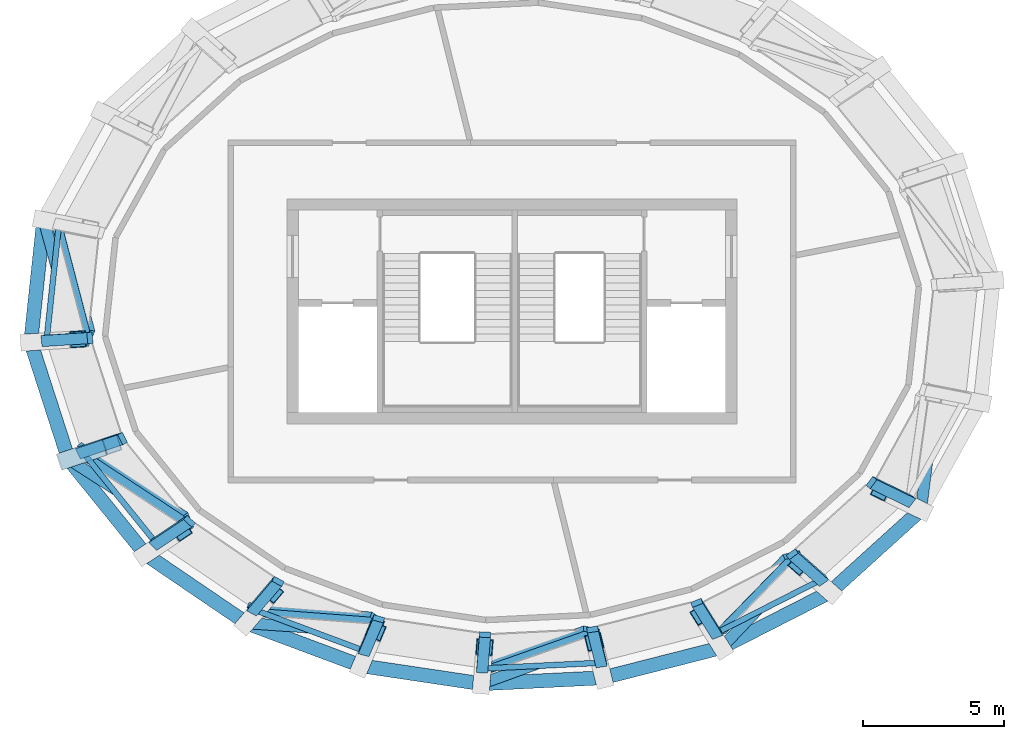
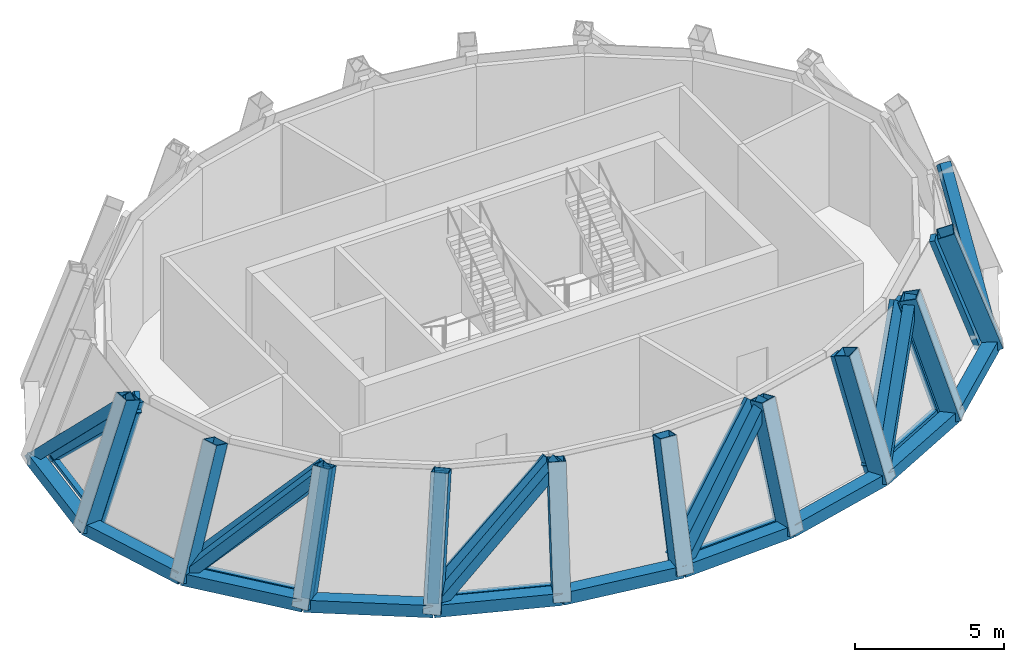
# One storey, part 1 of 6: 36 members, 10 beams, 1 element without a shape of its own.
"""IFC4 building model written with IfcOpenShell, lengths in metres."""

from ifc_helpers import new_model, si_unit, direction, frame, origin, origin_2d, place, context, subcontext, project, spatial, rectangle, hollow_rectangle, extrude, source, transform, mapped, material, material_profile, profile_set, type_object, element, aggregate, save


model = new_model("IFC4")

# Units and contexts
model_context = context("Model", 3, precision=1e-05, world=origin(), true_north=direction((0.0, 1.0)))
body_context = subcontext(model_context, "Body", "Model", "MODEL_VIEW")
ifc_project = project(units=[si_unit("LENGTHUNIT", "METRE"), si_unit("AREAUNIT", "SQUARE_METRE"), si_unit("VOLUMEUNIT", "CUBIC_METRE"), si_unit("PLANEANGLEUNIT", "RADIAN"), si_unit("MASSUNIT", "GRAM", prefix="KILO")], contexts=[model_context])

# Site, building, storey
site_placement = place(None, origin())
site = spatial("IfcSite", under=ifc_project, at=site_placement, CompositionType="ELEMENT")
building_placement = place(site_placement, origin())
building = spatial("IfcBuilding", under=site, at=building_placement, Name="Embergate Tower", CompositionType="ELEMENT")
storey_placement = place(building_placement, frame((0.0, 0.0, 361.0)))
storey = spatial("IfcBuildingStorey", under=building, at=storey_placement, Name="L82", CompositionType="ELEMENT", Elevation=361.0)

# Beams
ifc_material_1 = material(Name="Steel Q355D", Category="steel")
ifc_material_profile_1 = material_profile(ifc_material_1, hollow_rectangle(XDim=0.5, YDim=0.5, WallThickness=0.02490234375, at=origin_2d()), Name="BOX 500x500x25")
ifc_profile_set_1 = profile_set([ifc_material_profile_1], Name="Steel Q355 grade D")
beam_type = type_object("IfcBeamType", Name="Glass point ring beam BOX 500x500x25", PredefinedType="BEAM", material=ifc_profile_set_1)
shared_shape_1 = source(origin(), body_context, "Body", "SweptSolid", [
    extrude(hollow_rectangle(XDim=0.5, YDim=0.5, WallThickness=0.02490234375, at=origin_2d()), origin(), (0.0, 0.0, 1.0), 4.3662109375),
])
beam_1_placement = place(storey_placement, frame((-17.118896484375, -1.097900390625, 0.0), z_axis=(0.307306631921, -0.951610547429, 0.0), x_axis=(0.951610547429, 0.307306631921, 0.0)))
element("IfcBeam", 1, at=beam_1_placement, inside=storey, type_object=beam_type, Name="CRN-L82-RB11", PredefinedType="BEAM", context=body_context, shape_type="MappedRepresentation", body=[
    mapped(shared_shape_1, transform((0.0, 0.0, 0.0))),
])
shared_shape_2 = source(origin(), body_context, "Body", "SweptSolid", [
    extrude(hollow_rectangle(XDim=0.5, YDim=0.5, WallThickness=0.02490234375, at=origin_2d()), origin(), (0.0, 0.0, 1.0), 4.357666015625),
])
beam_2_placement = place(storey_placement, frame((-15.777099609375, -5.2529296875, 0.0), z_axis=(0.628316241824, -0.777958032454, 0.0), x_axis=(0.777958032454, 0.628316241824, 0.0)))
element("IfcBeam", 2, at=beam_2_placement, inside=storey, type_object=beam_type, Name="CRN-L82-RB12", PredefinedType="BEAM", context=body_context, shape_type="MappedRepresentation", body=[
    mapped(shared_shape_2, transform((0.0, 0.0, 0.0))),
])
shared_shape_3 = source(origin(), body_context, "Body", "SweptSolid", [
    extrude(hollow_rectangle(XDim=0.5, YDim=0.5, WallThickness=0.02490234375, at=origin_2d()), origin(), (0.0, 0.0, 1.0), 4.348388671875),
])
beam_3_placement = place(storey_placement, frame((-13.0390625, -8.64306640625, 0.0), z_axis=(0.826971403783, -0.562243983806, 0.0), x_axis=(0.562243983806, 0.826971403783, 0.0)))
element("IfcBeam", 3, at=beam_3_placement, inside=storey, type_object=beam_type, Name="CRN-L82-RB13", PredefinedType="BEAM", context=body_context, shape_type="MappedRepresentation", body=[
    mapped(shared_shape_3, transform((0.0, 0.0, 0.0))),
])
shared_shape_4 = source(origin(), body_context, "Body", "SweptSolid", [
    extrude(hollow_rectangle(XDim=0.5, YDim=0.5, WallThickness=0.02490234375, at=origin_2d()), origin(), (0.0, 0.0, 1.0), 4.34130859375),
])
beam_4_placement = place(storey_placement, frame((-9.443115234375, -11.087890625, 0.0), z_axis=(0.936866573227, -0.349687037177, 0.0), x_axis=(0.349687037177, 0.936866573227, 0.0)))
element("IfcBeam", 4, at=beam_4_placement, inside=storey, type_object=beam_type, Name="CRN-L82-RB14", PredefinedType="BEAM", context=body_context, shape_type="MappedRepresentation", body=[
    mapped(shared_shape_4, transform((0.0, 0.0, 0.0))),
])
shared_shape_5 = source(origin(), body_context, "Body", "SweptSolid", [
    extrude(hollow_rectangle(XDim=0.5, YDim=0.5, WallThickness=0.02490234375, at=origin_2d()), origin(), (0.0, 0.0, 1.0), 4.33837890625),
])
beam_5_placement = place(storey_placement, frame((-5.3759765625, -12.60595703125, 0.0), z_axis=(0.989054910399, -0.147547904817, 0.0), x_axis=(0.147547904817, 0.989054910399, 0.0)))
element("IfcBeam", 5, at=beam_5_placement, inside=storey, type_object=beam_type, Name="CRN-L82-RB15", PredefinedType="BEAM", context=body_context, shape_type="MappedRepresentation", body=[
    mapped(shared_shape_5, transform((0.0, 0.0, 0.0))),
])
shared_shape_6 = source(origin(), body_context, "Body", "SweptSolid", [
    extrude(hollow_rectangle(XDim=0.5, YDim=0.5, WallThickness=0.02490234375, at=origin_2d()), origin(), (0.0, 0.0, 1.0), 4.336181640625),
])
beam_6_placement = place(storey_placement, frame((-1.0849609375, -13.24609375, 0.0), z_axis=(0.998791342267, 0.049151343957, 0.0), x_axis=(-0.049151343957, 0.998791342267, 0.0)))
element("IfcBeam", 6, at=beam_6_placement, inside=storey, type_object=beam_type, Name="CRN-L82-RB16", PredefinedType="BEAM", context=body_context, shape_type="MappedRepresentation", body=[
    mapped(shared_shape_6, transform((0.0, 0.0, 0.0))),
])
shared_shape_7 = source(origin(), body_context, "Body", "SweptSolid", [
    extrude(hollow_rectangle(XDim=0.5, YDim=0.5, WallThickness=0.02490234375, at=origin_2d()), origin(), (0.0, 0.0, 1.0), 4.339599609375),
])
beam_7_placement = place(storey_placement, frame((3.24609375, -13.032958984375, 0.0), z_axis=(0.968949550045, 0.247258507371, 0.0), x_axis=(-0.247258507371, 0.968949550045, 0.0)))
element("IfcBeam", 7, at=beam_7_placement, inside=storey, type_object=beam_type, Name="CRN-L82-RB17", PredefinedType="BEAM", context=body_context, shape_type="MappedRepresentation", body=[
    mapped(shared_shape_7, transform((0.0, 0.0, 0.0))),
])
shared_shape_8 = source(origin(), body_context, "Body", "SweptSolid", [
    extrude(hollow_rectangle(XDim=0.5, YDim=0.5, WallThickness=0.02490234375, at=origin_2d()), origin(), (0.0, 0.0, 1.0), 4.343994140625),
])
beam_8_placement = place(storey_placement, frame((7.450927734375, -11.9599609375, 0.0), z_axis=(0.890687101381, 0.454616857841, 0.0), x_axis=(-0.454616857841, 0.890687101381, 0.0)))
element("IfcBeam", 8, at=beam_8_placement, inside=storey, type_object=beam_type, Name="CRN-L82-RB18", PredefinedType="BEAM", context=body_context, shape_type="MappedRepresentation", body=[
    mapped(shared_shape_8, transform((0.0, 0.0, 0.0))),
])
shared_shape_9 = source(origin(), body_context, "Body", "SweptSolid", [
    extrude(hollow_rectangle(XDim=0.5, YDim=0.5, WallThickness=0.02490234375, at=origin_2d()), origin(), (0.0, 0.0, 1.0), 4.3525390625),
])
beam_9_placement = place(storey_placement, frame((11.320068359375, -9.985107421875, 0.0), z_axis=(0.741134334902, 0.671356758832, 0.0), x_axis=(-0.671356758832, 0.741134334902, 0.0)))
element("IfcBeam", 9, at=beam_9_placement, inside=storey, type_object=beam_type, Name="CRN-L82-RB19", PredefinedType="BEAM", context=body_context, shape_type="MappedRepresentation", body=[
    mapped(shared_shape_9, transform((0.0, 0.0, 0.0))),
])
shared_shape_10 = source(origin(), body_context, "Body", "SweptSolid", [
    extrude(hollow_rectangle(XDim=0.5, YDim=0.5, WallThickness=0.02490234375, at=origin_2d()), origin(), (0.0, 0.0, 1.0), 4.367431640625),
])
beam_10_placement = place(storey_placement, frame((-16.656982421875, 3.2451171875, 0.0), z_axis=(-0.105761357807, -0.994391540187, 0.0), x_axis=(0.994391540187, -0.105761357807, 0.0)))
element("IfcBeam", 10, at=beam_10_placement, inside=storey, type_object=beam_type, Name="CRN-L82-RB10", PredefinedType="BEAM", context=body_context, shape_type="MappedRepresentation", body=[
    mapped(shared_shape_10, transform((0.0, 0.0, 0.0))),
])

# Members
ifc_material_profile_2 = material_profile(ifc_material_1, hollow_rectangle(XDim=0.60009765625, YDim=0.60009765625, WallThickness=0.028076171875, at=origin_2d()), Name="BOX 600x600x28")
ifc_profile_set_2 = profile_set([ifc_material_profile_2], Name="Steel Q355 grade D")
member_type_1 = type_object("IfcMemberType", Name="Glass point hip BOX 600x600x28", PredefinedType="MEMBER", material=ifc_profile_set_2)
shared_shape_11 = source(origin(), body_context, "Body", "SweptSolid", [
    extrude(hollow_rectangle(XDim=0.60009765625, YDim=0.60009765625, WallThickness=0.028076171875, at=origin_2d()), origin(), (0.0, 0.0, 1.0), 5.03955078125),
])
member_1_placement = place(storey_placement, frame((-13.077880859375, -8.6689453125, -0.14208984375), z_axis=(0.261899083885, 0.173630469228, 0.949347844584), x_axis=(-0.552563638116, 0.833470710842, 0.0)))
element("IfcMember", 11, at=member_1_placement, inside=storey, type_object=member_type_1, Name="CRN-L82-HP13", PredefinedType="MEMBER", context=body_context, shape_type="MappedRepresentation", body=[
    mapped(shared_shape_11, transform((0.0, 0.0, 0.0))),
])
shared_shape_12 = source(origin(), body_context, "Body", "SweptSolid", [
    extrude(hollow_rectangle(XDim=0.60009765625, YDim=0.60009765625, WallThickness=0.028076171875, at=origin_2d()), origin(), (0.0, 0.0, 1.0), 4.9736328125),
])
member_2_placement = place(storey_placement, frame((-1.087890625, -13.285888671875, -0.14404296875), z_axis=(0.021892343232, 0.269776498657, 0.962674070535), x_axis=(-0.996723518292, 0.080884040968, 0.0)))
element("IfcMember", 12, at=member_2_placement, inside=storey, type_object=member_type_1, Name="CRN-L82-HP16", PredefinedType="MEMBER", context=body_context, shape_type="MappedRepresentation", body=[
    mapped(shared_shape_12, transform((0.0, 0.0, 0.0))),
])
shared_shape_13 = source(origin(), body_context, "Body", "SweptSolid", [
    extrude(hollow_rectangle(XDim=0.60009765625, YDim=0.60009765625, WallThickness=0.028076171875, at=origin_2d()), origin(), (0.0, 0.0, 1.0), 4.977783203125),
])
member_3_placement = place(storey_placement, frame((3.256103515625, -13.072998046875, -0.14404296875), z_axis=(-0.066112868646, 0.265383332527, 0.961873575589), x_axis=(-0.970342594054, -0.241733841579, 0.0)))
element("IfcMember", 13, at=member_3_placement, inside=storey, type_object=member_type_1, Name="CRN-L82-HP17", PredefinedType="MEMBER", context=body_context, shape_type="MappedRepresentation", body=[
    mapped(shared_shape_13, transform((0.0, 0.0, 0.0))),
])
shared_shape_14 = source(origin(), body_context, "Body", "SweptSolid", [
    extrude(hollow_rectangle(XDim=0.60009765625, YDim=0.60009765625, WallThickness=0.028076171875, at=origin_2d()), origin(), (0.0, 0.0, 1.0), 4.996337890625),
])
member_4_placement = place(storey_placement, frame((7.47412109375, -11.99609375, -0.14404296875), z_axis=(-0.151328425448, 0.242408885582, 0.958299347721), x_axis=(-0.848276764559, -0.529553142479, 0.0)))
element("IfcMember", 14, at=member_4_placement, inside=storey, type_object=member_type_1, Name="CRN-L82-HP18", PredefinedType="MEMBER", context=body_context, shape_type="MappedRepresentation", body=[
    mapped(shared_shape_14, transform((0.0, 0.0, 0.0))),
])
shared_shape_15 = source(origin(), body_context, "Body", "SweptSolid", [
    extrude(hollow_rectangle(XDim=0.60009765625, YDim=0.60009765625, WallThickness=0.028076171875, at=origin_2d()), origin(), (0.0, 0.0, 1.0), 5.024169921875),
])
member_5_placement = place(storey_placement, frame((11.35400390625, -10.014892578125, -0.14306640625), z_axis=(-0.228095770655, 0.201223814717, 0.952618126953), x_axis=(-0.661552945099, -0.749898460347, 0.0)))
element("IfcMember", 15, at=member_5_placement, inside=storey, type_object=member_type_1, Name="CRN-L82-HP19", PredefinedType="MEMBER", context=body_context, shape_type="MappedRepresentation", body=[
    mapped(shared_shape_15, transform((0.0, 0.0, 0.0))),
])
shared_shape_16 = source(origin(), body_context, "Body", "SweptSolid", [
    extrude(hollow_rectangle(XDim=0.60009765625, YDim=0.60009765625, WallThickness=0.028076171875, at=origin_2d()), origin(), (0.0, 0.0, 1.0), 5.08740234375),
])
member_6_placement = place(storey_placement, frame((-17.169921875, -1.10107421875, -0.14111328125), z_axis=(0.340437413529, 0.021643258176, 0.94001805134), x_axis=(-0.063446762932, 0.997985224477, 0.0)))
element("IfcMember", 16, at=member_6_placement, inside=storey, type_object=member_type_1, Name="CRN-L82-HP11", PredefinedType="MEMBER", context=body_context, shape_type="MappedRepresentation", body=[
    mapped(shared_shape_16, transform((0.0, 0.0, 0.0))),
])
shared_shape_17 = source(origin(), body_context, "Body", "SweptSolid", [
    extrude(hollow_rectangle(XDim=0.60009765625, YDim=0.60009765625, WallThickness=0.028076171875, at=origin_2d()), origin(), (0.0, 0.0, 1.0), 5.06982421875),
])
member_7_placement = place(storey_placement, frame((-15.823974609375, -5.26904296875, -0.14111328125), z_axis=(0.314987601674, 0.104931659387, 0.943277349272), x_axis=(-0.316053706336, 0.948741300203, 0.0)))
element("IfcMember", 17, at=member_7_placement, inside=storey, type_object=member_type_1, Name="CRN-L82-HP12", PredefinedType="MEMBER", context=body_context, shape_type="MappedRepresentation", body=[
    mapped(shared_shape_17, transform((0.0, 0.0, 0.0))),
])
shared_shape_18 = source(origin(), body_context, "Body", "SweptSolid", [
    extrude(hollow_rectangle(XDim=0.60009765625, YDim=0.60009765625, WallThickness=0.028076171875, at=origin_2d()), origin(), (0.0, 0.0, 1.0), 5.008544921875),
])
member_8_placement = place(storey_placement, frame((-9.471923828125, -11.1220703125, -0.14306640625), z_axis=(0.191076336561, 0.224417207532, 0.955576658657), x_axis=(-0.761400435552, 0.648281865196, 0.0)))
element("IfcMember", 18, at=member_8_placement, inside=storey, type_object=member_type_1, Name="CRN-L82-HP14", PredefinedType="MEMBER", context=body_context, shape_type="MappedRepresentation", body=[
    mapped(shared_shape_18, transform((0.0, 0.0, 0.0))),
])
shared_shape_19 = source(origin(), body_context, "Body", "SweptSolid", [
    extrude(hollow_rectangle(XDim=0.60009765625, YDim=0.60009765625, WallThickness=0.028076171875, at=origin_2d()), origin(), (0.0, 0.0, 1.0), 4.9853515625),
])
member_9_placement = place(storey_placement, frame((-5.39208984375, -12.64404296875, -0.14404296875), z_axis=(0.109159528142, 0.256174738319, 0.960447135902), x_axis=(-0.919961737428, 0.392008165308, 0.0)))
element("IfcMember", 19, at=member_9_placement, inside=storey, type_object=member_type_1, Name="CRN-L82-HP15", PredefinedType="MEMBER", context=body_context, shape_type="MappedRepresentation", body=[
    mapped(shared_shape_19, transform((0.0, 0.0, 0.0))),
])
shared_shape_20 = source(origin(), body_context, "Body", "SweptSolid", [
    extrude(hollow_rectangle(XDim=0.60009765625, YDim=0.60009765625, WallThickness=0.028076171875, at=origin_2d()), origin(), (0.0, 0.0, 1.0), 5.056640625),
])
member_10_placement = place(storey_placement, frame((14.590087890625, -7.083984375, -0.14208984375), z_axis=(-0.291327180883, 0.141414867883, 0.946113264266), x_axis=(-0.436686813212, -0.899613598812, 0.0)))
element("IfcMember", 20, at=member_10_placement, inside=storey, type_object=member_type_1, Name="CRN-L82-HP20", PredefinedType="MEMBER", context=body_context, shape_type="MappedRepresentation", body=[
    mapped(shared_shape_20, transform((0.0, 0.0, 0.0))),
])
ifc_material_profile_3 = material_profile(ifc_material_1, hollow_rectangle(XDim=0.39990234375, YDim=0.39990234375, WallThickness=0.02197265625, at=origin_2d()), Name="BOX 400x400x22")
ifc_profile_set_3 = profile_set([ifc_material_profile_3], Name="Steel Q355 grade D")
member_type_2 = type_object("IfcMemberType", Name="Glass point brace BOX 400x400x22", PredefinedType="BRACE", material=ifc_profile_set_3)
shared_shape_21 = source(origin(), body_context, "Body", "SweptSolid", [
    extrude(hollow_rectangle(XDim=0.39990234375, YDim=0.39990234375, WallThickness=0.02197265625, at=origin_2d()), origin(), (0.0, 0.0, 1.0), 6.591064453125),
])
member_11_placement = place(storey_placement, frame((-16.68505859375, 3.345947265625, -0.10693359375), z_axis=(0.18572725103, -0.673789129683, 0.715201787572), x_axis=(0.96404600738, 0.265735386531, 0.0)))
element("IfcMember", 21, at=member_11_placement, inside=storey, type_object=member_type_2, Name="CRN-L82-DG10", PredefinedType="BRACE", context=body_context, shape_type="MappedRepresentation", body=[
    mapped(shared_shape_21, transform((0.0, 0.0, 0.0))),
])
shared_shape_22 = source(origin(), body_context, "Body", "SweptSolid", [
    extrude(hollow_rectangle(XDim=0.39990234375, YDim=0.39990234375, WallThickness=0.02197265625, at=origin_2d()), origin(), (0.0, 0.0, 1.0), 6.83203125),
])
member_12_placement = place(storey_placement, frame((-15.867919921875, -5.194091796875, -0.10302734375), z_axis=(0.609171805454, -0.392976027722, 0.688824762241), x_axis=(0.54208981705, 0.840320552082, 0.0)))
element("IfcMember", 22, at=member_12_placement, inside=storey, type_object=member_type_2, Name="CRN-L82-DG12", PredefinedType="BRACE", context=body_context, shape_type="MappedRepresentation", body=[
    mapped(shared_shape_22, transform((0.0, 0.0, 0.0))),
])
shared_shape_23 = source(origin(), body_context, "Body", "SweptSolid", [
    extrude(hollow_rectangle(XDim=0.39990234375, YDim=0.39990234375, WallThickness=0.02197265625, at=origin_2d()), origin(), (0.0, 0.0, 1.0), 6.72802734375),
])
member_13_placement = place(storey_placement, frame((-9.550048828125, -11.0810546875, -0.10498046875), z_axis=(0.712392141205, -0.049205569655, 0.700054461498), x_axis=(0.068906730457, 0.997623106437, 0.0)))
element("IfcMember", 23, at=member_13_placement, inside=storey, type_object=member_type_2, Name="CRN-L82-DG14", PredefinedType="BRACE", context=body_context, shape_type="MappedRepresentation", body=[
    mapped(shared_shape_23, transform((0.0, 0.0, 0.0))),
])
shared_shape_24 = source(origin(), body_context, "Body", "SweptSolid", [
    extrude(hollow_rectangle(XDim=0.39990234375, YDim=0.39990234375, WallThickness=0.02197265625, at=origin_2d()), origin(), (0.0, 0.0, 1.0), 6.5078125),
])
member_14_placement = place(storey_placement, frame((-1.181884765625, -13.281005859375, -0.10888671875), z_axis=(0.647799538135, 0.234165202515, 0.724929249184), x_axis=(-0.339949579809, 0.940443662952, 0.0)))
element("IfcMember", 24, at=member_14_placement, inside=storey, type_object=member_type_2, Name="CRN-L82-DG16", PredefinedType="BRACE", context=body_context, shape_type="MappedRepresentation", body=[
    mapped(shared_shape_24, transform((0.0, 0.0, 0.0))),
])
shared_shape_25 = source(origin(), body_context, "Body", "SweptSolid", [
    extrude(hollow_rectangle(XDim=0.39990234375, YDim=0.39990234375, WallThickness=0.02197265625, at=origin_2d()), origin(), (0.0, 0.0, 1.0), 6.350830078125),
])
member_15_placement = place(storey_placement, frame((7.382080078125, -12.032958984375, -0.112060546875), z_axis=(0.461190357992, 0.483717452248, 0.743855416117), x_axis=(-0.723758922708, 0.69005291232, 0.0)))
element("IfcMember", 25, at=member_15_placement, inside=storey, type_object=member_type_2, Name="CRN-L82-DG18", PredefinedType="BRACE", context=body_context, shape_type="MappedRepresentation", body=[
    mapped(shared_shape_25, transform((0.0, 0.0, 0.0))),
])
shared_shape_26 = source(origin(), body_context, "Body", "SweptSolid", [
    extrude(hollow_rectangle(XDim=0.39990234375, YDim=0.39990234375, WallThickness=0.02197265625, at=origin_2d()), origin(), (0.0, 0.0, 1.0), 6.428466796875),
])
member_16_placement = place(storey_placement, frame((14.532958984375, -7.1640625, -0.110107421875), z_axis=(0.085716464048, 0.673426823439, 0.734267663229), x_axis=(-0.991996510336, 0.126265290087, 0.0)))
element("IfcMember", 26, at=member_16_placement, inside=storey, type_object=member_type_2, Name="CRN-L82-DG20", PredefinedType="BRACE", context=body_context, shape_type="MappedRepresentation", body=[
    mapped(shared_shape_26, transform((0.0, 0.0, 0.0))),
])

# Curtain wall, members
ifc_material_2 = material(Name="Aluminium and glass", Category="aluminium")
curtain_wall_type = type_object("IfcCurtainWallType", Name="Crown facet glazing", PredefinedType="NOTDEFINED", material=ifc_material_2)
curtain_wall_placement = place(storey_placement, origin())
curtain_wall = element("IfcCurtainWall", 27, at=curtain_wall_placement, inside=storey, type_object=curtain_wall_type, Name="Crown facet glazing L82", ObjectType="CROWN FACET GLAZING", PredefinedType="USERDEFINED")
ifc_material_3 = material(Name="Aluminium, thermally broken", Category="aluminium")
ifc_material_profile_4 = material_profile(ifc_material_3, rectangle(XDim=0.199951171875, YDim=0.39990234375, at=origin_2d()), Name="AL 400x200")
ifc_profile_set_4 = profile_set([ifc_material_profile_4], Name="Aluminium, thermally broken")
member_type_3 = type_object("IfcMemberType", Name="Crown hip mullion", PredefinedType="MULLION", material=ifc_profile_set_4)
shared_shape_27 = source(origin(), body_context, "Body", "SweptSolid", [
    extrude(rectangle(XDim=0.199951171875, YDim=0.39990234375, at=origin_2d()), origin(), (0.0, 0.0, 1.0), 4.7705078125),
])
member_17_placement = place(storey_placement, frame((-15.355224609375, -5.0244140625, -0.166259765625), z_axis=(0.315038772027, 0.104808220453, 0.943273984081), x_axis=(-0.830751495336, -0.450126630946, 0.327472089055)))
member_17 = element("IfcMember", 28, at=member_17_placement, type_object=member_type_3, Name="CW hip 13", PredefinedType="MULLION", context=body_context, shape_type="MappedRepresentation", body=[
    mapped(shared_shape_27, transform((0.0, 0.0, 0.0))),
])
shared_shape_28 = source(origin(), body_context, "Body", "SweptSolid", [
    extrude(rectangle(XDim=0.199951171875, YDim=0.39990234375, at=origin_2d()), origin(), (0.0, 0.0, 1.0), 4.685546875),
])
member_18_placement = place(storey_placement, frame((-5.25537109375, -12.13818359375, -0.138427734375), z_axis=(0.109264316829, 0.256304804236, 0.960400518739), x_axis=(-0.240157006757, -0.930755276695, 0.275715844685)))
member_18 = element("IfcMember", 29, at=member_18_placement, type_object=member_type_3, Name="CW hip 16", PredefinedType="MULLION", context=body_context, shape_type="MappedRepresentation", body=[
    mapped(shared_shape_28, transform((0.0, 0.0, 0.0))),
])
shared_shape_29 = source(origin(), body_context, "Body", "SweptSolid", [
    extrude(rectangle(XDim=0.199951171875, YDim=0.39990234375, at=origin_2d()), origin(), (0.0, 0.0, 1.0), 4.67822265625),
])
member_19_placement = place(storey_placement, frame((3.174072265625, -12.554931640625, -0.13671875), z_axis=(-0.066068617718, 0.265266022007, 0.961908974551), x_axis=(0.143311606386, -0.951497821368, 0.272238276894)))
member_19 = element("IfcMember", 30, at=member_19_placement, type_object=member_type_3, Name="CW hip 18", PredefinedType="MULLION", context=body_context, shape_type="MappedRepresentation", body=[
    mapped(shared_shape_29, transform((0.0, 0.0, 0.0))),
])
shared_shape_30 = source(origin(), body_context, "Body", "SweptSolid", [
    extrude(rectangle(XDim=0.199951171875, YDim=0.39990234375, at=origin_2d()), origin(), (0.0, 0.0, 1.0), 4.69580078125),
])
member_20_placement = place(storey_placement, frame((7.28076171875, -11.50830078125, -0.14111328125), z_axis=(-0.151188442797, 0.242535792864, 0.958289332062), x_axis=(0.338761255083, -0.898016184215, 0.28072717172)))
member_20 = element("IfcMember", 31, at=member_20_placement, type_object=member_type_3, Name="CW hip 19", PredefinedType="MULLION", context=body_context, shape_type="MappedRepresentation", body=[
    mapped(shared_shape_30, transform((0.0, 0.0, 0.0))),
])
shared_shape_31 = source(origin(), body_context, "Body", "SweptSolid", [
    extrude(rectangle(XDim=0.199951171875, YDim=0.39990234375, at=origin_2d()), origin(), (0.0, 0.0, 1.0), 4.787109375),
])
member_21_placement = place(storey_placement, frame((-16.64208984375, -1.048583984375, -0.173828125), z_axis=(0.340466452318, 0.021725390756, 0.940005639474), x_axis=(-0.935068949551, -0.097049726967, 0.340921413351)))
member_21 = element("IfcMember", 32, at=member_21_placement, type_object=member_type_3, Name="CW hip 12", PredefinedType="MULLION", context=body_context, shape_type="MappedRepresentation", body=[
    mapped(shared_shape_31, transform((0.0, 0.0, 0.0))),
])
shared_shape_32 = source(origin(), body_context, "Body", "SweptSolid", [
    extrude(rectangle(XDim=0.199951171875, YDim=0.39990234375, at=origin_2d()), origin(), (0.0, 0.0, 1.0), 4.740234375),
])
member_22_placement = place(storey_placement, frame((-12.71337890625, -8.289306640625, -0.154541015625), z_axis=(0.262000836675, 0.173619976495, 0.949321686966), x_axis=(-0.644565191975, -0.700629706896, 0.306028964492)))
member_22 = element("IfcMember", 33, at=member_22_placement, type_object=member_type_3, Name="CW hip 14", PredefinedType="MULLION", context=body_context, shape_type="MappedRepresentation", body=[
    mapped(shared_shape_32, transform((0.0, 0.0, 0.0))),
])
shared_shape_33 = source(origin(), body_context, "Body", "SweptSolid", [
    extrude(rectangle(XDim=0.199951171875, YDim=0.39990234375, at=origin_2d()), origin(), (0.0, 0.0, 1.0), 4.708740234375),
])
member_23_placement = place(storey_placement, frame((-9.2216796875, -10.65966796875, -0.144775390625), z_axis=(0.190902454703, 0.224240390166, 0.955652918275), x_axis=(-0.439655440773, -0.850912910226, 0.287489673918)))
member_23 = element("IfcMember", 34, at=member_23_placement, type_object=member_type_3, Name="CW hip 15", PredefinedType="MULLION", context=body_context, shape_type="MappedRepresentation", body=[
    mapped(shared_shape_33, transform((0.0, 0.0, 0.0))),
])
shared_shape_34 = source(origin(), body_context, "Body", "SweptSolid", [
    extrude(rectangle(XDim=0.199951171875, YDim=0.39990234375, at=origin_2d()), origin(), (0.0, 0.0, 1.0), 4.6748046875),
])
member_24_placement = place(storey_placement, frame((-1.06103515625, -12.76318359375, -0.135986328125), z_axis=(0.022039174871, 0.269953779409, 0.962621021874), x_axis=(-0.047593089255, -0.96147996517, 0.270723427931)))
member_24 = element("IfcMember", 35, at=member_24_placement, type_object=member_type_3, Name="CW hip 17", PredefinedType="MULLION", context=body_context, shape_type="MappedRepresentation", body=[
    mapped(shared_shape_34, transform((0.0, 0.0, 0.0))),
])
shared_shape_35 = source(origin(), body_context, "Body", "SweptSolid", [
    extrude(rectangle(XDim=0.199951171875, YDim=0.39990234375, at=origin_2d()), origin(), (0.0, 0.0, 1.0), 4.723876953125),
])
member_25_placement = place(storey_placement, frame((11.046630859375, -9.588623046875, -0.149169921875), z_axis=(-0.228171659467, 0.20129753423, 0.952584377643), x_axis=(0.542164787965, -0.786394258512, 0.296042924033)))
member_25 = element("IfcMember", 36, at=member_25_placement, type_object=member_type_3, Name="CW hip 20", PredefinedType="MULLION", context=body_context, shape_type="MappedRepresentation", body=[
    mapped(shared_shape_35, transform((0.0, 0.0, 0.0))),
])
shared_shape_36 = source(origin(), body_context, "Body", "SweptSolid", [
    extrude(rectangle(XDim=0.199951171875, YDim=0.39990234375, at=origin_2d()), origin(), (0.0, 0.0, 1.0), 4.756103515625),
])
member_26_placement = place(storey_placement, frame((14.169921875, -6.7646484375, -0.160400390625), z_axis=(-0.29120173696, 0.141520040331, 0.946136156468), x_axis=(0.743081412284, -0.589426307276, 0.316870072757)))
member_26 = element("IfcMember", 37, at=member_26_placement, type_object=member_type_3, Name="CW hip 21", PredefinedType="MULLION", context=body_context, shape_type="MappedRepresentation", body=[
    mapped(shared_shape_36, transform((0.0, 0.0, 0.0))),
])
ifc_material_profile_5 = material_profile(ifc_material_3, rectangle(XDim=0.199951171875, YDim=0.139892578125, at=origin_2d()), Name="AL 140x200")
ifc_profile_set_5 = profile_set([ifc_material_profile_5], Name="Aluminium, thermally broken")
member_type_4 = type_object("IfcMemberType", Name="Crown facet transom", PredefinedType="USERDEFINED", material=ifc_profile_set_5)
shared_shape_37 = source(origin(), body_context, "Body", "SweptSolid", [
    extrude(rectangle(XDim=0.199951171875, YDim=0.139892578125, at=origin_2d()), origin(), (0.0, 0.0, 1.0), 3.945556640625),
])
member_27_placement = place(storey_placement, frame((-16.1259765625, 2.97998046875, 0.070068359375), z_axis=(-0.10575090492, -0.994392651878, 0.0), x_axis=(0.994392651878, -0.10575090492, 0.0)))
member_27 = element("IfcMember", 38, at=member_27_placement, type_object=member_type_4, Name="CW transom 11.1", ObjectType="TRANSOM", PredefinedType="USERDEFINED", context=body_context, shape_type="MappedRepresentation", body=[
    mapped(shared_shape_37, transform((0.0, 0.0, 0.0))),
])
ifc_material_profile_6 = material_profile(ifc_material_3, rectangle(XDim=0.199951171875, YDim=0.760009765625, at=origin_2d()), Name="AL 760x200")
ifc_profile_set_6 = profile_set([ifc_material_profile_6], Name="Aluminium, thermally broken")
member_type_5 = type_object("IfcMemberType", Name="Crown diagonal cover mullion", PredefinedType="MULLION", material=ifc_profile_set_6)
shared_shape_38 = source(origin(), body_context, "Body", "SweptSolid", [
    extrude(rectangle(XDim=0.199951171875, YDim=0.760009765625, at=origin_2d()), origin(), (0.0, 0.0, 1.0), 5.913330078125),
])
member_28_placement = place(storey_placement, frame((-16.10791015625, 3.101318359375, 0.08447265625), z_axis=(0.180172227198, -0.687040795784, 0.703926781331), x_axis=(-0.936279231199, 0.099588570395, 0.336843165097)))
member_28 = element("IfcMember", 39, at=member_28_placement, type_object=member_type_5, Name="CW diagonal mullion 11", PredefinedType="MULLION", context=body_context, shape_type="MappedRepresentation", body=[
    mapped(shared_shape_38, transform((0.0, 0.0, 0.0))),
])
shared_shape_39 = source(origin(), body_context, "Body", "SweptSolid", [
    extrude(rectangle(XDim=0.199951171875, YDim=0.139892578125, at=origin_2d()), origin(), (0.0, 0.0, 1.0), 3.93701171875),
])
member_29_placement = place(storey_placement, frame((-15.206298828125, -5.0849609375, 0.070068359375), z_axis=(0.628318341926, -0.777956336307, 0.0), x_axis=(0.777956336307, 0.628318341926, 0.0)))
member_29 = element("IfcMember", 40, at=member_29_placement, type_object=member_type_4, Name="CW transom 13.1", ObjectType="TRANSOM", PredefinedType="USERDEFINED", context=body_context, shape_type="MappedRepresentation", body=[
    mapped(shared_shape_39, transform((0.0, 0.0, 0.0))),
])
shared_shape_40 = source(origin(), body_context, "Body", "SweptSolid", [
    extrude(rectangle(XDim=0.199951171875, YDim=0.760009765625, at=origin_2d()), origin(), (0.0, 0.0, 1.0), 6.1611328125),
])
member_30_placement = place(storey_placement, frame((-15.28173828125, -4.985595703125, 0.081298828125), z_axis=(0.613618805458, -0.403756022526, 0.67856689859), x_axis=(-0.738849516357, -0.59673263472, 0.313067971597)))
member_30 = element("IfcMember", 41, at=member_30_placement, type_object=member_type_5, Name="CW diagonal mullion 13", PredefinedType="MULLION", context=body_context, shape_type="MappedRepresentation", body=[
    mapped(shared_shape_40, transform((0.0, 0.0, 0.0))),
])
shared_shape_41 = source(origin(), body_context, "Body", "SweptSolid", [
    extrude(rectangle(XDim=0.199951171875, YDim=0.139892578125, at=origin_2d()), origin(), (0.0, 0.0, 1.0), 3.921875),
])
member_31_placement = place(storey_placement, frame((-9.0458984375, -10.658935546875, 0.070068359375), z_axis=(0.936875505937, -0.349663104109, 0.0), x_axis=(0.349663104109, 0.936875505937, 0.0)))
member_31 = element("IfcMember", 42, at=member_31_placement, type_object=member_type_4, Name="CW transom 15.1", ObjectType="TRANSOM", PredefinedType="USERDEFINED", context=body_context, shape_type="MappedRepresentation", body=[
    mapped(shared_shape_41, transform((0.0, 0.0, 0.0))),
])
shared_shape_42 = source(origin(), body_context, "Body", "SweptSolid", [
    extrude(rectangle(XDim=0.199951171875, YDim=0.760009765625, at=origin_2d()), origin(), (0.0, 0.0, 1.0), 6.072998046875),
])
member_32_placement = place(storey_placement, frame((-9.160888671875, -10.612060546875, 0.0830078125), z_axis=(0.720935553762, -0.055397824853, 0.690784342848), x_axis=(-0.335830021471, -0.899863536359, 0.278323216081)))
member_32 = element("IfcMember", 43, at=member_32_placement, type_object=member_type_5, Name="CW diagonal mullion 15", PredefinedType="MULLION", context=body_context, shape_type="MappedRepresentation", body=[
    mapped(shared_shape_42, transform((0.0, 0.0, 0.0))),
])
shared_shape_43 = source(origin(), body_context, "Body", "SweptSolid", [
    extrude(rectangle(XDim=0.199951171875, YDim=0.139892578125, at=origin_2d()), origin(), (0.0, 0.0, 1.0), 3.91748046875),
])
member_33_placement = place(storey_placement, frame((-0.904296875, -12.69775390625, 0.070068359375), z_axis=(0.998793488572, 0.049107710051, 0.0), x_axis=(-0.049107710051, 0.998793488572, 0.0)))
member_33 = element("IfcMember", 44, at=member_33_placement, type_object=member_type_4, Name="CW transom 17.1", ObjectType="TRANSOM", PredefinedType="USERDEFINED", context=body_context, shape_type="MappedRepresentation", body=[
    mapped(shared_shape_43, transform((0.0, 0.0, 0.0))),
])
shared_shape_44 = source(origin(), body_context, "Body", "SweptSolid", [
    extrude(rectangle(XDim=0.199951171875, YDim=0.760009765625, at=origin_2d()), origin(), (0.0, 0.0, 1.0), 5.860595703125),
])
member_34_placement = place(storey_placement, frame((-1.026611328125, -12.699462890625, 0.0859375), z_axis=(0.658788233208, 0.232163072194, 0.715610488811), x_axis=(0.047236255381, -0.962081902664, 0.268639440037)))
member_34 = element("IfcMember", 45, at=member_34_placement, type_object=member_type_5, Name="CW diagonal mullion 17", PredefinedType="MULLION", context=body_context, shape_type="MappedRepresentation", body=[
    mapped(shared_shape_44, transform((0.0, 0.0, 0.0))),
])
shared_shape_45 = source(origin(), body_context, "Body", "SweptSolid", [
    extrude(rectangle(XDim=0.199951171875, YDim=0.139892578125, at=origin_2d()), origin(), (0.0, 0.0, 1.0), 3.92431640625),
])
member_35_placement = place(storey_placement, frame((7.377685546875, -11.388427734375, 0.070068359375), z_axis=(0.890676020624, 0.45463856665, 0.0), x_axis=(-0.45463856665, 0.890676020624, 0.0)))
member_35 = element("IfcMember", 46, at=member_35_placement, type_object=member_type_4, Name="CW transom 19.1", ObjectType="TRANSOM", PredefinedType="USERDEFINED", context=body_context, shape_type="MappedRepresentation", body=[
    mapped(shared_shape_45, transform((0.0, 0.0, 0.0))),
])
shared_shape_46 = source(origin(), body_context, "Body", "SweptSolid", [
    extrude(rectangle(XDim=0.199951171875, YDim=0.760009765625, at=origin_2d()), origin(), (0.0, 0.0, 1.0), 5.69775390625),
])
member_36_placement = place(storey_placement, frame((7.267578125, -11.438720703125, 0.088134765625), z_axis=(0.473829034811, 0.486726714272, 0.733882246266), x_axis=(0.435826541482, -0.853766756432, 0.284846540001)))
member_36 = element("IfcMember", 47, at=member_36_placement, type_object=member_type_5, Name="CW diagonal mullion 19", PredefinedType="MULLION", context=body_context, shape_type="MappedRepresentation", body=[
    mapped(shared_shape_46, transform((0.0, 0.0, 0.0))),
])
aggregate(curtain_wall, [member_27, member_28, member_21, member_17, member_29, member_30, member_22, member_23, member_31, member_32, member_18, member_24, member_33, member_34, member_19, member_20, member_35, member_36, member_25, member_26])

save(model, "model.ifc")
